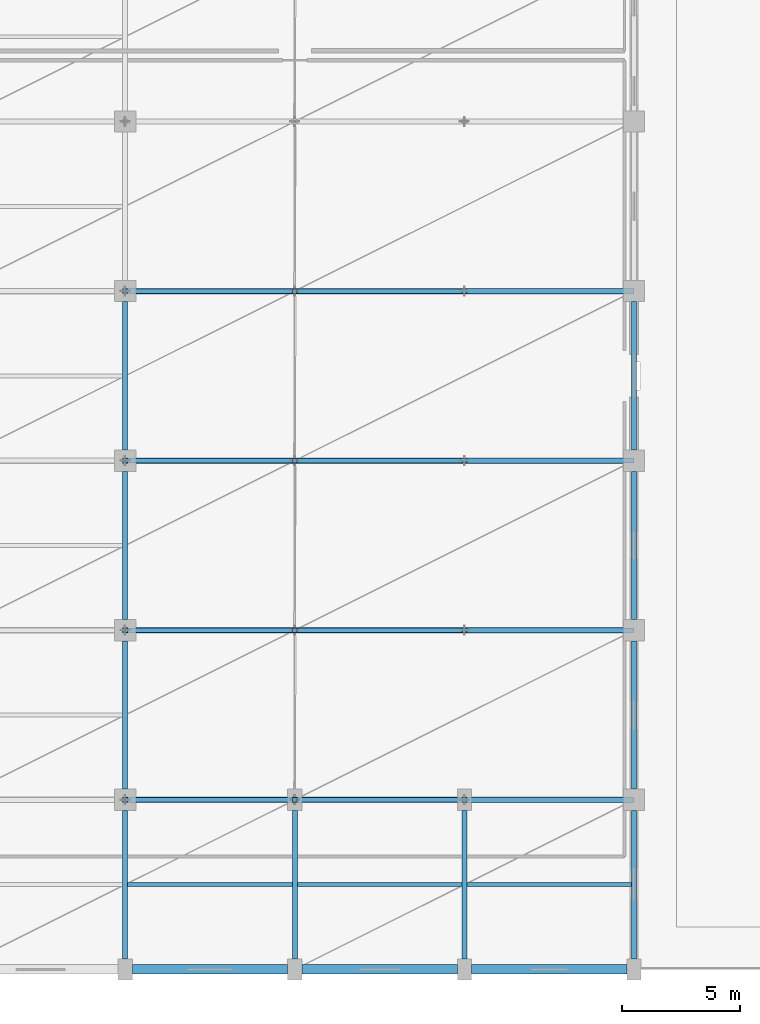
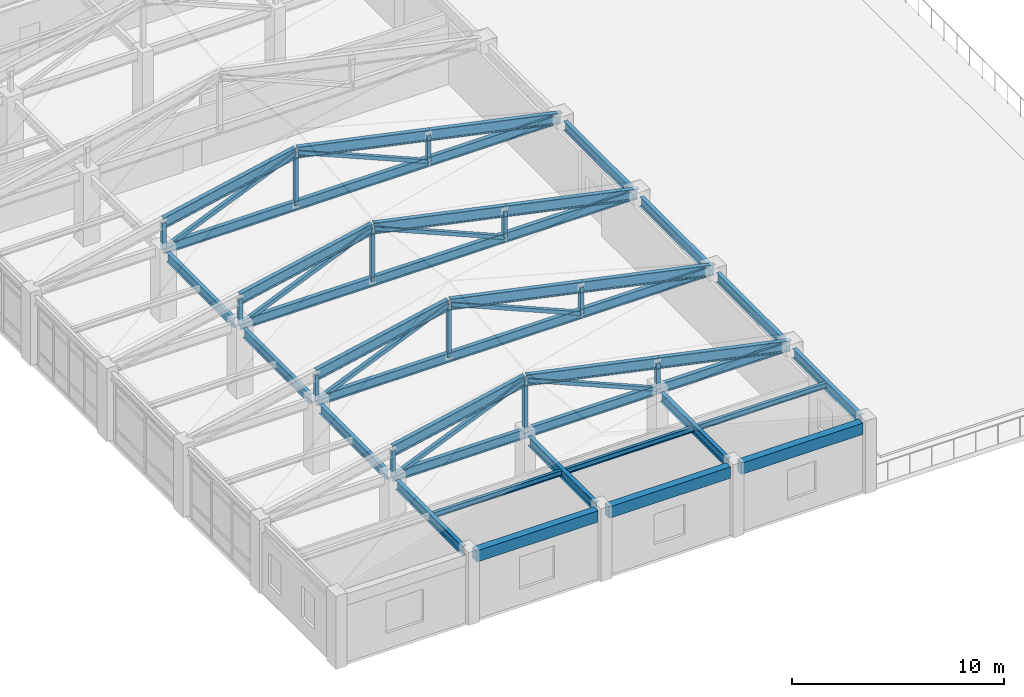
# One storey, part 56 of 113: 32 members, 20 beams.
"""IFC4 building model written with IfcOpenShell, lengths in metres."""

from ifc_helpers import new_model, si_unit, direction, frame, origin, origin_2d, place, context, subcontext, project, spatial, rectangle, hollow_rectangle, i_section, extrude, material, material_profile, profile_set, type_object, element, save


model = new_model("IFC4")

# Units and contexts
model_context = context("Model", 3, precision=1e-05, world=origin(), true_north=direction((0.0, 1.0)))
body_context = subcontext(model_context, "Body", "Model", "MODEL_VIEW")
ifc_project = project(units=[si_unit("LENGTHUNIT", "METRE"), si_unit("AREAUNIT", "SQUARE_METRE"), si_unit("VOLUMEUNIT", "CUBIC_METRE"), si_unit("PLANEANGLEUNIT", "RADIAN"), si_unit("MASSUNIT", "GRAM", prefix="KILO")], contexts=[model_context])

# Site, building, storey
site_placement = place(None, origin())
site = spatial("IfcSite", under=ifc_project, at=site_placement, CompositionType="ELEMENT")
building_placement = place(site_placement, origin())
building = spatial("IfcBuilding", under=site, at=building_placement, Name="Carrowvane Square Congress Hotel", CompositionType="ELEMENT")
storey_placement = place(building_placement, frame((0.0, 0.0, 15.0)))
storey = spatial("IfcBuildingStorey", under=building, at=storey_placement, Name="L03", CompositionType="ELEMENT", Elevation=15.0)

# Beams
ifc_material_1 = material(Name="Steel S355", Category="steel")
ifc_material_profile_1 = material_profile(ifc_material_1, i_section(OverallWidth=0.165771484375, OverallDepth=0.306640625, WebThickness=0.006591796875, FlangeThickness=0.01171875, FilletRadius=0.0087890625, at=origin_2d()), Name="UKB 305x165x46")
ifc_profile_set_1 = profile_set([ifc_material_profile_1], Name="Steel S355")
beam_type_1 = type_object("IfcBeamType", Name="BM-ST-UKB305", PredefinedType="JOIST", material=ifc_profile_set_1)
beam_1_placement = place(storey_placement, frame((141.304931640625, 9.0, 3.78662109375), z_axis=(1.0, 0.0, 0.0), x_axis=(0.0, 1.0, 0.0)))
element("IfcBeam", 1, at=beam_1_placement, inside=storey, type_object=beam_type_1, Name="L04 secondary joist 19-20", PredefinedType="JOIST", context=body_context, shape_type="SweptSolid", body=[
    extrude(i_section(OverallWidth=0.165771484375, OverallDepth=0.306640625, WebThickness=0.006591796875, FlangeThickness=0.01171875, FilletRadius=0.0087890625, at=origin_2d()), origin(), (0.0, 0.0, 1.0), 6.989990234375),
])
beam_2_placement = place(storey_placement, frame((148.5048828125, 9.0, 3.78662109375), z_axis=(1.0, 0.0, 0.0), x_axis=(0.0, 1.0, 0.0)))
element("IfcBeam", 2, at=beam_2_placement, inside=storey, type_object=beam_type_1, Name="L04 secondary joist 20-21", PredefinedType="JOIST", context=body_context, shape_type="SweptSolid", body=[
    extrude(i_section(OverallWidth=0.165771484375, OverallDepth=0.306640625, WebThickness=0.006591796875, FlangeThickness=0.01171875, FilletRadius=0.0087890625, at=origin_2d()), origin(), (0.0, 0.0, 1.0), 6.990234375),
])
beam_3_placement = place(storey_placement, frame((155.705078125, 9.0, 3.78662109375), z_axis=(1.0, 0.0, 0.0), x_axis=(0.0, 1.0, 0.0)))
element("IfcBeam", 3, at=beam_3_placement, inside=storey, type_object=beam_type_1, Name="L04 secondary joist 21-22", PredefinedType="JOIST", context=body_context, shape_type="SweptSolid", body=[
    extrude(i_section(OverallWidth=0.165771484375, OverallDepth=0.306640625, WebThickness=0.006591796875, FlangeThickness=0.01171875, FilletRadius=0.0087890625, at=origin_2d()), origin(), (0.0, 0.0, 1.0), 6.989990234375),
])
ifc_material_2 = material(Name="Steel S355", Category="steel")
ifc_material_profile_2 = material_profile(ifc_material_2, i_section(OverallWidth=0.2099609375, OverallDepth=0.53662109375, WebThickness=0.0107421875, FlangeThickness=0.017333984375, FilletRadius=0.0126953125, at=origin_2d()), Name="UKB 533x210x101")
ifc_profile_set_2 = profile_set([ifc_material_profile_2], Name="Steel S355")
beam_type_2 = type_object("IfcBeamType", Name="BM-ST-UKB533", PredefinedType="USERDEFINED", material=ifc_profile_set_2)
beam_4_placement = place(storey_placement, frame((141.199951171875, 5.85009765625, 3.671630859375), z_axis=(0.0, 1.0, 0.0), x_axis=(-1.0, 0.0, 0.0)))
element("IfcBeam", 4, at=beam_4_placement, inside=storey, type_object=beam_type_2, Name="L04 girder 19/A-B", ObjectType="GIRDER", PredefinedType="USERDEFINED", context=body_context, shape_type="SweptSolid", body=[
    extrude(i_section(OverallWidth=0.2099609375, OverallDepth=0.53662109375, WebThickness=0.0107421875, FlangeThickness=0.017333984375, FilletRadius=0.0126953125, at=origin_2d()), origin(), (0.0, 0.0, 1.0), 6.2998046875),
])
for number, where, z_axis, x_axis, name in (
    (5, (141.199951171875, 13.050048828125, 3.671630859375), (0.0, 1.0, 0.0), (-1.0, 0.0, 0.0), "L04 girder 19/B-C"),
    (6, (141.199951171875, 20.25, 3.671630859375), (0.0, 1.0, 0.0), (-1.0, 0.0, 0.0), "L04 girder 19/C-D"),
    (7, (141.199951171875, 27.449951171875, 3.671630859375), (0.0, 1.0, 0.0), (-1.0, 0.0, 0.0), "L04 girder 19/D-E"),
):
    element("IfcBeam", number, at=place(storey_placement, frame(where, z_axis=z_axis, x_axis=x_axis)), inside=storey, type_object=beam_type_2, Name=name, ObjectType="GIRDER", PredefinedType="USERDEFINED", context=body_context, shape_type="SweptSolid", body=[
        extrude(i_section(OverallWidth=0.2099609375, OverallDepth=0.53662109375, WebThickness=0.0107421875, FlangeThickness=0.017333984375, FilletRadius=0.0126953125, at=origin_2d()), origin(), (0.0, 0.0, 1.0), 6.300048828125),
    ])
for number, where, z_axis, x_axis, name in (
    (8, (148.39990234375, 5.85009765625, 3.671630859375), (0.0, 1.0, 0.0), (-1.0, 0.0, 0.0), "L04 girder 20/A-B"),
    (9, (155.60009765625, 5.85009765625, 3.671630859375), (0.0, 1.0, 0.0), (-1.0, 0.0, 0.0), "L04 girder 21/A-B"),
    (10, (162.800048828125, 5.85009765625, 3.671630859375), (0.0, 1.0, 0.0), (-1.0, 0.0, 0.0), "L04 girder 22/A-B"),
):
    element("IfcBeam", number, at=place(storey_placement, frame(where, z_axis=z_axis, x_axis=x_axis)), inside=storey, type_object=beam_type_2, Name=name, ObjectType="GIRDER", PredefinedType="USERDEFINED", context=body_context, shape_type="SweptSolid", body=[
        extrude(i_section(OverallWidth=0.2099609375, OverallDepth=0.53662109375, WebThickness=0.0107421875, FlangeThickness=0.017333984375, FilletRadius=0.0126953125, at=origin_2d()), origin(), (0.0, 0.0, 1.0), 6.2998046875),
    ])
for number, where, z_axis, x_axis, name in (
    (11, (162.800048828125, 13.050048828125, 3.671630859375), (0.0, 1.0, 0.0), (-1.0, 0.0, 0.0), "L04 girder 22/B-C"),
    (12, (162.800048828125, 20.25, 3.671630859375), (0.0, 1.0, 0.0), (-1.0, 0.0, 0.0), "L04 girder 22/C-D"),
    (13, (162.800048828125, 27.449951171875, 3.671630859375), (0.0, 1.0, 0.0), (-1.0, 0.0, 0.0), "L04 girder 22/D-E"),
):
    element("IfcBeam", number, at=place(storey_placement, frame(where, z_axis=z_axis, x_axis=x_axis)), inside=storey, type_object=beam_type_2, Name=name, ObjectType="GIRDER", PredefinedType="USERDEFINED", context=body_context, shape_type="SweptSolid", body=[
        extrude(i_section(OverallWidth=0.2099609375, OverallDepth=0.53662109375, WebThickness=0.0107421875, FlangeThickness=0.017333984375, FilletRadius=0.0126953125, at=origin_2d()), origin(), (0.0, 0.0, 1.0), 6.300048828125),
    ])
for number, where, z_axis, x_axis, name in (
    (14, (141.199951171875, 12.60009765625, 3.85009765625), (1.0, 0.0, 0.0), (0.0, 1.0, 0.0), "V2 pavilion truss main tie girder 1"),
    (15, (141.199951171875, 19.800048828125, 3.85009765625), (1.0, 0.0, 0.0), (0.0, 1.0, 0.0), "V2 pavilion truss main tie girder 2"),
    (16, (141.199951171875, 27.0, 3.85009765625), (1.0, 0.0, 0.0), (0.0, 1.0, 0.0), "V2 pavilion truss main tie girder 3"),
    (17, (141.199951171875, 34.199951171875, 3.85009765625), (1.0, 0.0, 0.0), (0.0, 1.0, 0.0), "V2 pavilion truss main tie girder 4"),
):
    element("IfcBeam", number, at=place(storey_placement, frame(where, z_axis=z_axis, x_axis=x_axis)), inside=storey, type_object=beam_type_2, Name=name, ObjectType="GIRDER", PredefinedType="USERDEFINED", context=body_context, shape_type="SweptSolid", body=[
        extrude(i_section(OverallWidth=0.2099609375, OverallDepth=0.53662109375, WebThickness=0.0107421875, FlangeThickness=0.017333984375, FilletRadius=0.0126953125, at=origin_2d()), origin(), (0.0, 0.0, 1.0), 21.60009765625),
    ])

# Members
ifc_material_3 = material(Name="Steel S355", Category="steel")
ifc_material_profile_3 = material_profile(ifc_material_3, hollow_rectangle(XDim=0.199951171875, YDim=0.199951171875, WallThickness=0.012451171875, at=origin_2d()), Name="SHS 200x200x12.5")
ifc_profile_set_3 = profile_set([ifc_material_profile_3], Name="Steel S355")
member_type_1 = type_object("IfcMemberType", Name="MEM-BR-SHS200", PredefinedType="BRACE", material=ifc_profile_set_3)
member_1_placement = place(storey_placement, frame((141.199951171875, 12.60009765625, 3.85009765625), z_axis=(0.920753811728, 0.0, 0.390144099262), x_axis=(0.0, 1.0, 0.0)))
element("IfcMember", 18, at=member_1_placement, inside=storey, type_object=member_type_1, Name="V2 pavilion truss diagonal 1.2", PredefinedType="BRACE", context=body_context, shape_type="SweptSolid", body=[
    extrude(hollow_rectangle(XDim=0.199951171875, YDim=0.199951171875, WallThickness=0.012451171875, at=origin_2d()), origin(), (0.0, 0.0, 1.0), 7.819580078125),
])
member_2_placement = place(storey_placement, frame((148.39990234375, 12.60009765625, 6.90087890625), z_axis=(0.920758563825, 0.0, -0.390132883954), x_axis=(0.0, 1.0, 0.0)))
element("IfcMember", 19, at=member_2_placement, inside=storey, type_object=member_type_1, Name="V2 pavilion truss diagonal 1.3", PredefinedType="BRACE", context=body_context, shape_type="SweptSolid", body=[
    extrude(hollow_rectangle(XDim=0.199951171875, YDim=0.199951171875, WallThickness=0.012451171875, at=origin_2d()), origin(), (0.0, 0.0, 1.0), 7.81982421875),
])
member_3_placement = place(storey_placement, frame((141.199951171875, 19.800048828125, 3.85009765625), z_axis=(0.920753811728, 0.0, 0.390144099262), x_axis=(0.0, 1.0, 0.0)))
element("IfcMember", 20, at=member_3_placement, inside=storey, type_object=member_type_1, Name="V2 pavilion truss diagonal 2.2", PredefinedType="BRACE", context=body_context, shape_type="SweptSolid", body=[
    extrude(hollow_rectangle(XDim=0.199951171875, YDim=0.199951171875, WallThickness=0.012451171875, at=origin_2d()), origin(), (0.0, 0.0, 1.0), 7.819580078125),
])
member_4_placement = place(storey_placement, frame((148.39990234375, 19.800048828125, 6.90087890625), z_axis=(0.920758563825, 0.0, -0.390132883954), x_axis=(0.0, 1.0, 0.0)))
element("IfcMember", 21, at=member_4_placement, inside=storey, type_object=member_type_1, Name="V2 pavilion truss diagonal 2.3", PredefinedType="BRACE", context=body_context, shape_type="SweptSolid", body=[
    extrude(hollow_rectangle(XDim=0.199951171875, YDim=0.199951171875, WallThickness=0.012451171875, at=origin_2d()), origin(), (0.0, 0.0, 1.0), 7.81982421875),
])
member_5_placement = place(storey_placement, frame((141.199951171875, 27.0, 3.85009765625), z_axis=(0.920753811728, 0.0, 0.390144099262), x_axis=(0.0, 1.0, 0.0)))
element("IfcMember", 22, at=member_5_placement, inside=storey, type_object=member_type_1, Name="V2 pavilion truss diagonal 3.2", PredefinedType="BRACE", context=body_context, shape_type="SweptSolid", body=[
    extrude(hollow_rectangle(XDim=0.199951171875, YDim=0.199951171875, WallThickness=0.012451171875, at=origin_2d()), origin(), (0.0, 0.0, 1.0), 7.819580078125),
])
member_6_placement = place(storey_placement, frame((148.39990234375, 27.0, 6.90087890625), z_axis=(0.920758563825, 0.0, -0.390132883954), x_axis=(0.0, 1.0, 0.0)))
element("IfcMember", 23, at=member_6_placement, inside=storey, type_object=member_type_1, Name="V2 pavilion truss diagonal 3.3", PredefinedType="BRACE", context=body_context, shape_type="SweptSolid", body=[
    extrude(hollow_rectangle(XDim=0.199951171875, YDim=0.199951171875, WallThickness=0.012451171875, at=origin_2d()), origin(), (0.0, 0.0, 1.0), 7.81982421875),
])
member_7_placement = place(storey_placement, frame((141.199951171875, 34.199951171875, 3.85009765625), z_axis=(0.920753811728, 0.0, 0.390144099262), x_axis=(0.0, 1.0, 0.0)))
element("IfcMember", 24, at=member_7_placement, inside=storey, type_object=member_type_1, Name="V2 pavilion truss diagonal 4.2", PredefinedType="BRACE", context=body_context, shape_type="SweptSolid", body=[
    extrude(hollow_rectangle(XDim=0.199951171875, YDim=0.199951171875, WallThickness=0.012451171875, at=origin_2d()), origin(), (0.0, 0.0, 1.0), 7.819580078125),
])
member_8_placement = place(storey_placement, frame((148.39990234375, 34.199951171875, 6.90087890625), z_axis=(0.920758563825, 0.0, -0.390132883954), x_axis=(0.0, 1.0, 0.0)))
element("IfcMember", 25, at=member_8_placement, inside=storey, type_object=member_type_1, Name="V2 pavilion truss diagonal 4.3", PredefinedType="BRACE", context=body_context, shape_type="SweptSolid", body=[
    extrude(hollow_rectangle(XDim=0.199951171875, YDim=0.199951171875, WallThickness=0.012451171875, at=origin_2d()), origin(), (0.0, 0.0, 1.0), 7.81982421875),
])
ifc_material_4 = material(Name="Steel S355", Category="steel")
ifc_material_profile_4 = material_profile(ifc_material_4, hollow_rectangle(XDim=0.199951171875, YDim=0.199951171875, WallThickness=0.012451171875, at=origin_2d()), Name="SHS 200x200x12.5")
ifc_profile_set_4 = profile_set([ifc_material_profile_4], Name="Steel S355")
member_type_2 = type_object("IfcMemberType", Name="MEM-ST-SHS200", PredefinedType="STRUT", material=ifc_profile_set_4)
member_9_placement = place(storey_placement, frame((141.199951171875, 12.60009765625, 3.85009765625), z_axis=(0.0, 0.0, 1.0), x_axis=(1.0, 0.0, 0.0)))
element("IfcMember", 26, at=member_9_placement, inside=storey, type_object=member_type_2, Name="V2 pavilion truss vertical 1.2", PredefinedType="STRUT", context=body_context, shape_type="SweptSolid", body=[
    extrude(hollow_rectangle(XDim=0.199951171875, YDim=0.199951171875, WallThickness=0.012451171875, at=origin_2d()), origin(), (0.0, 0.0, 1.0), 1.520263671875),
])
member_10_placement = place(storey_placement, frame((148.39990234375, 12.60009765625, 3.85009765625), z_axis=(0.0, 0.0, 1.0), x_axis=(1.0, 0.0, 0.0)))
element("IfcMember", 27, at=member_10_placement, inside=storey, type_object=member_type_2, Name="V2 pavilion truss vertical 1.3", PredefinedType="STRUT", context=body_context, shape_type="SweptSolid", body=[
    extrude(hollow_rectangle(XDim=0.199951171875, YDim=0.199951171875, WallThickness=0.012451171875, at=origin_2d()), origin(), (0.0, 0.0, 1.0), 3.05078125),
])
for number, where, z_axis, x_axis, name in (
    (28, (155.60009765625, 12.60009765625, 3.85009765625), (0.0, 0.0, 1.0), (1.0, 0.0, 0.0), "V2 pavilion truss vertical 1.4"),
    (29, (141.199951171875, 19.800048828125, 3.85009765625), (0.0, 0.0, 1.0), (1.0, 0.0, 0.0), "V2 pavilion truss vertical 2.2"),
):
    element("IfcMember", number, at=place(storey_placement, frame(where, z_axis=z_axis, x_axis=x_axis)), inside=storey, type_object=member_type_2, Name=name, PredefinedType="STRUT", context=body_context, shape_type="SweptSolid", body=[
        extrude(hollow_rectangle(XDim=0.199951171875, YDim=0.199951171875, WallThickness=0.012451171875, at=origin_2d()), origin(), (0.0, 0.0, 1.0), 1.520263671875),
    ])
member_11_placement = place(storey_placement, frame((148.39990234375, 19.800048828125, 3.85009765625), z_axis=(0.0, 0.0, 1.0), x_axis=(1.0, 0.0, 0.0)))
element("IfcMember", 30, at=member_11_placement, inside=storey, type_object=member_type_2, Name="V2 pavilion truss vertical 2.3", PredefinedType="STRUT", context=body_context, shape_type="SweptSolid", body=[
    extrude(hollow_rectangle(XDim=0.199951171875, YDim=0.199951171875, WallThickness=0.012451171875, at=origin_2d()), origin(), (0.0, 0.0, 1.0), 3.05078125),
])
for number, where, z_axis, x_axis, name in (
    (31, (155.60009765625, 19.800048828125, 3.85009765625), (0.0, 0.0, 1.0), (1.0, 0.0, 0.0), "V2 pavilion truss vertical 2.4"),
    (32, (141.199951171875, 27.0, 3.85009765625), (0.0, 0.0, 1.0), (1.0, 0.0, 0.0), "V2 pavilion truss vertical 3.2"),
):
    element("IfcMember", number, at=place(storey_placement, frame(where, z_axis=z_axis, x_axis=x_axis)), inside=storey, type_object=member_type_2, Name=name, PredefinedType="STRUT", context=body_context, shape_type="SweptSolid", body=[
        extrude(hollow_rectangle(XDim=0.199951171875, YDim=0.199951171875, WallThickness=0.012451171875, at=origin_2d()), origin(), (0.0, 0.0, 1.0), 1.520263671875),
    ])
member_12_placement = place(storey_placement, frame((148.39990234375, 27.0, 3.85009765625), z_axis=(0.0, 0.0, 1.0), x_axis=(1.0, 0.0, 0.0)))
element("IfcMember", 33, at=member_12_placement, inside=storey, type_object=member_type_2, Name="V2 pavilion truss vertical 3.3", PredefinedType="STRUT", context=body_context, shape_type="SweptSolid", body=[
    extrude(hollow_rectangle(XDim=0.199951171875, YDim=0.199951171875, WallThickness=0.012451171875, at=origin_2d()), origin(), (0.0, 0.0, 1.0), 3.05078125),
])
for number, where, z_axis, x_axis, name in (
    (34, (155.60009765625, 27.0, 3.85009765625), (0.0, 0.0, 1.0), (1.0, 0.0, 0.0), "V2 pavilion truss vertical 3.4"),
    (35, (141.199951171875, 34.199951171875, 3.85009765625), (0.0, 0.0, 1.0), (1.0, 0.0, 0.0), "V2 pavilion truss vertical 4.2"),
):
    element("IfcMember", number, at=place(storey_placement, frame(where, z_axis=z_axis, x_axis=x_axis)), inside=storey, type_object=member_type_2, Name=name, PredefinedType="STRUT", context=body_context, shape_type="SweptSolid", body=[
        extrude(hollow_rectangle(XDim=0.199951171875, YDim=0.199951171875, WallThickness=0.012451171875, at=origin_2d()), origin(), (0.0, 0.0, 1.0), 1.520263671875),
    ])
member_13_placement = place(storey_placement, frame((148.39990234375, 34.199951171875, 3.85009765625), z_axis=(0.0, 0.0, 1.0), x_axis=(1.0, 0.0, 0.0)))
element("IfcMember", 36, at=member_13_placement, inside=storey, type_object=member_type_2, Name="V2 pavilion truss vertical 4.3", PredefinedType="STRUT", context=body_context, shape_type="SweptSolid", body=[
    extrude(hollow_rectangle(XDim=0.199951171875, YDim=0.199951171875, WallThickness=0.012451171875, at=origin_2d()), origin(), (0.0, 0.0, 1.0), 3.05078125),
])
member_14_placement = place(storey_placement, frame((155.60009765625, 34.199951171875, 3.85009765625), z_axis=(0.0, 0.0, 1.0), x_axis=(1.0, 0.0, 0.0)))
element("IfcMember", 37, at=member_14_placement, inside=storey, type_object=member_type_2, Name="V2 pavilion truss vertical 4.4", PredefinedType="STRUT", context=body_context, shape_type="SweptSolid", body=[
    extrude(hollow_rectangle(XDim=0.199951171875, YDim=0.199951171875, WallThickness=0.012451171875, at=origin_2d()), origin(), (0.0, 0.0, 1.0), 1.520263671875),
])
ifc_material_5 = material(Name="Steel S355", Category="steel")
ifc_material_profile_5 = material_profile(ifc_material_5, i_section(OverallWidth=0.230224609375, OverallDepth=0.6171875, WebThickness=0.01318359375, FlangeThickness=0.022216796875, FilletRadius=0.0126953125, at=origin_2d()), Name="UKB 610x229x140")
ifc_profile_set_5 = profile_set([ifc_material_profile_5], Name="Steel S355")
member_type_3 = type_object("IfcMemberType", Name="MEM-TC-UKB610", PredefinedType="CHORD", material=ifc_profile_set_5)
member_15_placement = place(storey_placement, frame((141.199951171875, 12.60009765625, 5.370361328125), z_axis=(0.978144265498, 0.0, 0.207927381249), x_axis=(0.0, 1.0, 0.0)))
element("IfcMember", 38, at=member_15_placement, inside=storey, type_object=member_type_3, Name="V2 pavilion truss top chord 1.2", PredefinedType="CHORD", context=body_context, shape_type="SweptSolid", body=[
    extrude(i_section(OverallWidth=0.230224609375, OverallDepth=0.6171875, WebThickness=0.01318359375, FlangeThickness=0.022216796875, FilletRadius=0.0126953125, at=origin_2d()), origin(), (0.0, 0.0, 1.0), 7.36083984375),
])
member_16_placement = place(storey_placement, frame((148.39990234375, 12.60009765625, 6.90087890625), z_axis=(0.978145699388, 0.0, -0.207920635747), x_axis=(0.0, 1.0, 0.0)))
element("IfcMember", 39, at=member_16_placement, inside=storey, type_object=member_type_3, Name="V2 pavilion truss top chord 1.3", PredefinedType="CHORD", context=body_context, shape_type="SweptSolid", body=[
    extrude(i_section(OverallWidth=0.230224609375, OverallDepth=0.6171875, WebThickness=0.01318359375, FlangeThickness=0.022216796875, FilletRadius=0.0126953125, at=origin_2d()), origin(), (0.0, 0.0, 1.0), 7.361083984375),
])
for number, where, z_axis, x_axis, name in (
    (40, (155.60009765625, 12.60009765625, 5.370361328125), (0.978151010745, 0.0, -0.207895647328), (0.0, 1.0, 0.0), "V2 pavilion truss top chord 1.4"),
    (41, (141.199951171875, 19.800048828125, 5.370361328125), (0.978144265498, 0.0, 0.207927381249), (0.0, 1.0, 0.0), "V2 pavilion truss top chord 2.2"),
):
    element("IfcMember", number, at=place(storey_placement, frame(where, z_axis=z_axis, x_axis=x_axis)), inside=storey, type_object=member_type_3, Name=name, PredefinedType="CHORD", context=body_context, shape_type="SweptSolid", body=[
        extrude(i_section(OverallWidth=0.230224609375, OverallDepth=0.6171875, WebThickness=0.01318359375, FlangeThickness=0.022216796875, FilletRadius=0.0126953125, at=origin_2d()), origin(), (0.0, 0.0, 1.0), 7.36083984375),
    ])
member_17_placement = place(storey_placement, frame((148.39990234375, 19.800048828125, 6.90087890625), z_axis=(0.978145699388, 0.0, -0.207920635747), x_axis=(0.0, 1.0, 0.0)))
element("IfcMember", 42, at=member_17_placement, inside=storey, type_object=member_type_3, Name="V2 pavilion truss top chord 2.3", PredefinedType="CHORD", context=body_context, shape_type="SweptSolid", body=[
    extrude(i_section(OverallWidth=0.230224609375, OverallDepth=0.6171875, WebThickness=0.01318359375, FlangeThickness=0.022216796875, FilletRadius=0.0126953125, at=origin_2d()), origin(), (0.0, 0.0, 1.0), 7.361083984375),
])
for number, where, z_axis, x_axis, name in (
    (43, (155.60009765625, 19.800048828125, 5.370361328125), (0.978151010745, 0.0, -0.207895647328), (0.0, 1.0, 0.0), "V2 pavilion truss top chord 2.4"),
    (44, (141.199951171875, 27.0, 5.370361328125), (0.978144265498, 0.0, 0.207927381249), (0.0, 1.0, 0.0), "V2 pavilion truss top chord 3.2"),
):
    element("IfcMember", number, at=place(storey_placement, frame(where, z_axis=z_axis, x_axis=x_axis)), inside=storey, type_object=member_type_3, Name=name, PredefinedType="CHORD", context=body_context, shape_type="SweptSolid", body=[
        extrude(i_section(OverallWidth=0.230224609375, OverallDepth=0.6171875, WebThickness=0.01318359375, FlangeThickness=0.022216796875, FilletRadius=0.0126953125, at=origin_2d()), origin(), (0.0, 0.0, 1.0), 7.36083984375),
    ])
member_18_placement = place(storey_placement, frame((148.39990234375, 27.0, 6.90087890625), z_axis=(0.978145699388, 0.0, -0.207920635747), x_axis=(0.0, 1.0, 0.0)))
element("IfcMember", 45, at=member_18_placement, inside=storey, type_object=member_type_3, Name="V2 pavilion truss top chord 3.3", PredefinedType="CHORD", context=body_context, shape_type="SweptSolid", body=[
    extrude(i_section(OverallWidth=0.230224609375, OverallDepth=0.6171875, WebThickness=0.01318359375, FlangeThickness=0.022216796875, FilletRadius=0.0126953125, at=origin_2d()), origin(), (0.0, 0.0, 1.0), 7.361083984375),
])
for number, where, z_axis, x_axis, name in (
    (46, (155.60009765625, 27.0, 5.370361328125), (0.978151010745, 0.0, -0.207895647328), (0.0, 1.0, 0.0), "V2 pavilion truss top chord 3.4"),
    (47, (141.199951171875, 34.199951171875, 5.370361328125), (0.978144265498, 0.0, 0.207927381249), (0.0, 1.0, 0.0), "V2 pavilion truss top chord 4.2"),
):
    element("IfcMember", number, at=place(storey_placement, frame(where, z_axis=z_axis, x_axis=x_axis)), inside=storey, type_object=member_type_3, Name=name, PredefinedType="CHORD", context=body_context, shape_type="SweptSolid", body=[
        extrude(i_section(OverallWidth=0.230224609375, OverallDepth=0.6171875, WebThickness=0.01318359375, FlangeThickness=0.022216796875, FilletRadius=0.0126953125, at=origin_2d()), origin(), (0.0, 0.0, 1.0), 7.36083984375),
    ])
member_19_placement = place(storey_placement, frame((148.39990234375, 34.199951171875, 6.90087890625), z_axis=(0.978145699388, 0.0, -0.207920635747), x_axis=(0.0, 1.0, 0.0)))
element("IfcMember", 48, at=member_19_placement, inside=storey, type_object=member_type_3, Name="V2 pavilion truss top chord 4.3", PredefinedType="CHORD", context=body_context, shape_type="SweptSolid", body=[
    extrude(i_section(OverallWidth=0.230224609375, OverallDepth=0.6171875, WebThickness=0.01318359375, FlangeThickness=0.022216796875, FilletRadius=0.0126953125, at=origin_2d()), origin(), (0.0, 0.0, 1.0), 7.361083984375),
])
member_20_placement = place(storey_placement, frame((155.60009765625, 34.199951171875, 5.370361328125), z_axis=(0.978151010745, 0.0, -0.207895647328), x_axis=(0.0, 1.0, 0.0)))
element("IfcMember", 49, at=member_20_placement, inside=storey, type_object=member_type_3, Name="V2 pavilion truss top chord 4.4", PredefinedType="CHORD", context=body_context, shape_type="SweptSolid", body=[
    extrude(i_section(OverallWidth=0.230224609375, OverallDepth=0.6171875, WebThickness=0.01318359375, FlangeThickness=0.022216796875, FilletRadius=0.0126953125, at=origin_2d()), origin(), (0.0, 0.0, 1.0), 7.36083984375),
])

# Beams
ifc_material_6 = material(Name="Concrete C35/45", Category="concrete")
ifc_material_profile_6 = material_profile(ifc_material_6, rectangle(XDim=0.39990234375, YDim=0.64990234375, at=origin_2d()), Name="RC 400x650")
ifc_profile_set_6 = profile_set([ifc_material_profile_6], Name="Concrete C35/45")
beam_type_3 = type_object("IfcBeamType", Name="SP-RC-400x650", PredefinedType="SPANDREL", material=ifc_profile_set_6)
for number, where, z_axis, x_axis, name in (
    (50, (141.5, 5.39990234375, 3.614990234375), (1.0, 0.0, 0.0), (0.0, 1.0, 0.0), "L04 girder A/19-20"),
    (51, (148.699951171875, 5.39990234375, 3.614990234375), (1.0, 0.0, 0.0), (0.0, 1.0, 0.0), "L04 girder A/20-21"),
    (52, (155.89990234375, 5.39990234375, 3.614990234375), (1.0, 0.0, 0.0), (0.0, 1.0, 0.0), "L04 girder A/21-22"),
):
    element("IfcBeam", number, at=place(storey_placement, frame(where, z_axis=z_axis, x_axis=x_axis)), inside=storey, type_object=beam_type_3, Name=name, PredefinedType="SPANDREL", context=body_context, shape_type="SweptSolid", body=[
        extrude(rectangle(XDim=0.39990234375, YDim=0.64990234375, at=origin_2d()), origin(), (0.0, 0.0, 1.0), 6.60009765625),
    ])

save(model, "model.ifc")
